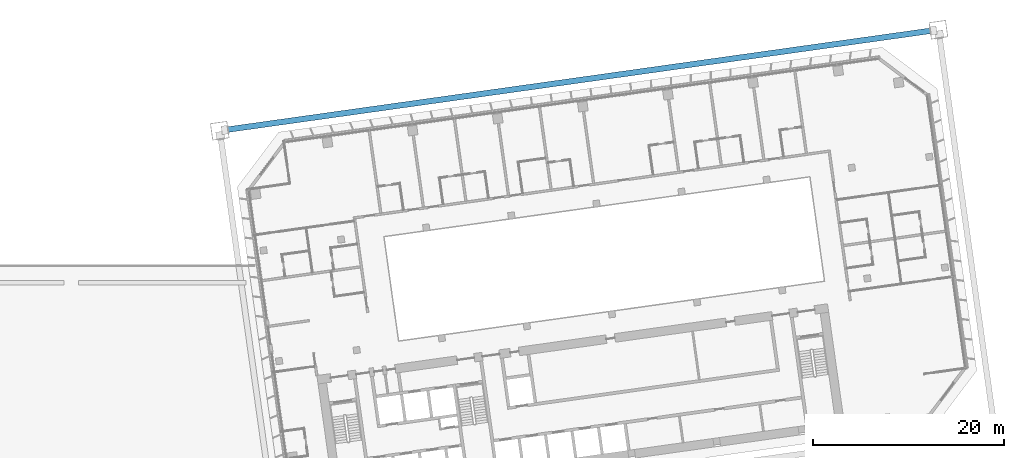
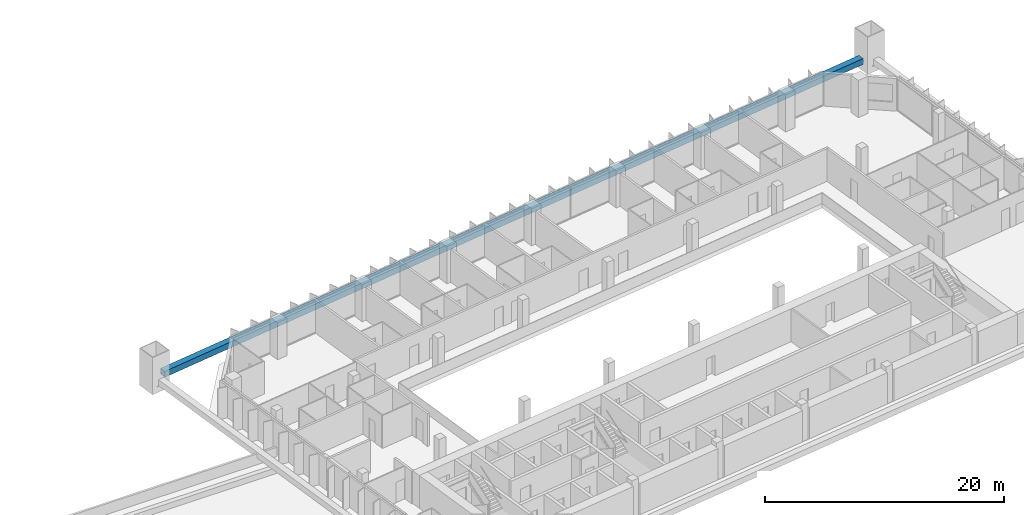
# One storey, part 18 of 46: 1 member.
"""IFC4 building model written with IfcOpenShell, lengths in metres."""

from ifc_helpers import new_model, si_unit, direction, frame, origin, origin_2d, place, context, subcontext, project, spatial, hollow_rectangle, extrude, material, material_profile, profile_set, type_object, element, save


model = new_model("IFC4")

# Units and contexts
model_context = context("Model", 3, precision=1e-05, world=origin(), true_north=direction((0.0, 1.0)))
body_context = subcontext(model_context, "Body", "Model", "MODEL_VIEW")
ifc_project = project(units=[si_unit("LENGTHUNIT", "METRE"), si_unit("AREAUNIT", "SQUARE_METRE"), si_unit("VOLUMEUNIT", "CUBIC_METRE"), si_unit("PLANEANGLEUNIT", "RADIAN"), si_unit("MASSUNIT", "GRAM", prefix="KILO")], contexts=[model_context])

# Site, building, storey
site_placement = place(None, origin())
site = spatial("IfcSite", under=ifc_project, at=site_placement, CompositionType="ELEMENT")
building_placement = place(site_placement, origin())
building = spatial("IfcBuilding", under=site, at=building_placement, Name="Mirante Cascada Hotel Towers", CompositionType="ELEMENT")
storey_placement = place(building_placement, frame((0.0, 0.0, 39.5)))
storey = spatial("IfcBuildingStorey", under=building, at=storey_placement, Name="L06", CompositionType="ELEMENT", Elevation=39.5)

# Member
ifc_material = material(Name="Steel ASTM A572 Gr 50", Category="steel")
ifc_material_profile = material_profile(ifc_material, hollow_rectangle(XDim=0.6, YDim=0.6, WallThickness=0.04, at=origin_2d()), Name="Box chord 600x600x40 ASTM A572 Gr 50")
ifc_profile_set = profile_set([ifc_material_profile], Name="Steel ASTM A572 Gr 50")
member_type = type_object("IfcMemberType", Name="Box chord 600x600x40 ASTM A572 Gr 50", PredefinedType="CHORD", material=ifc_profile_set)
member_placement = place(storey_placement, frame((25.9683, 18.6398, 1.0), z_axis=(0.9902681, 0.139173, 0.0), x_axis=(-0.139173, 0.9902681, 0.0)))
element("IfcMember", 1, at=member_placement, inside=storey, type_object=member_type, Name="exochord T2 L06 1", PredefinedType="CHORD", context=body_context, shape_type="SweptSolid", body=[
    extrude(hollow_rectangle(XDim=0.6, YDim=0.6, WallThickness=0.04, at=origin_2d()), origin(), (0.0, 0.0, 1.0), 74.24),
])

save(model, "model.ifc")
